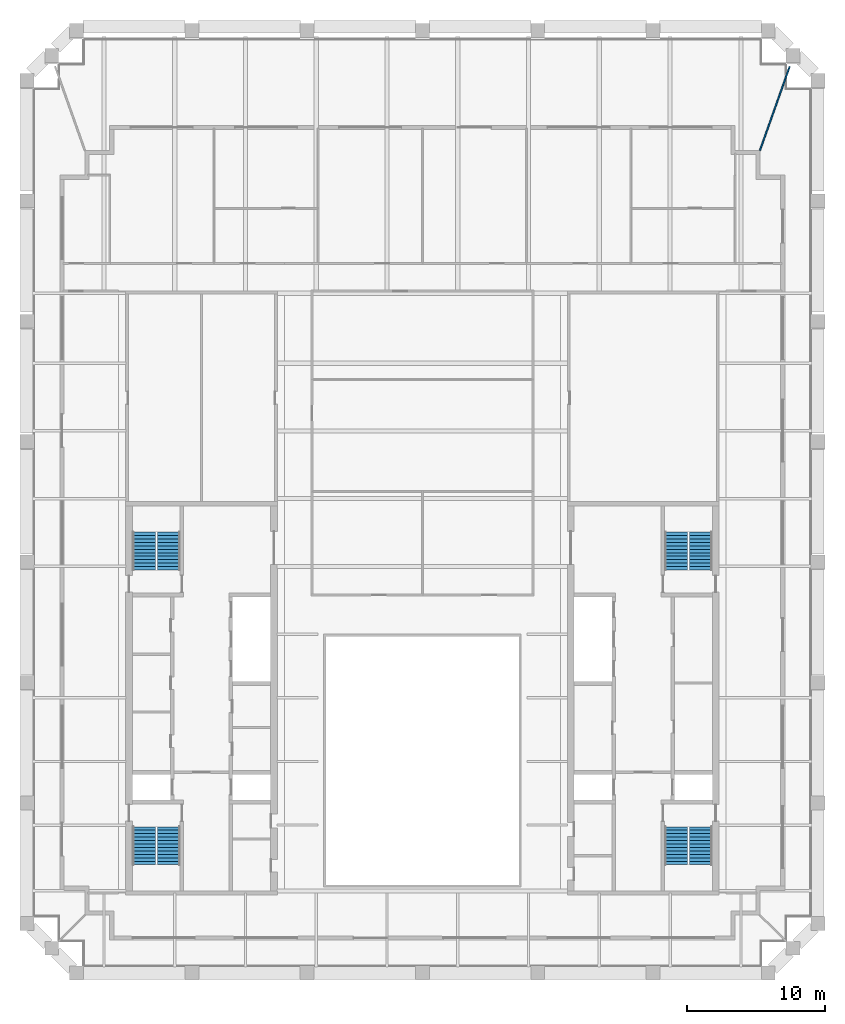
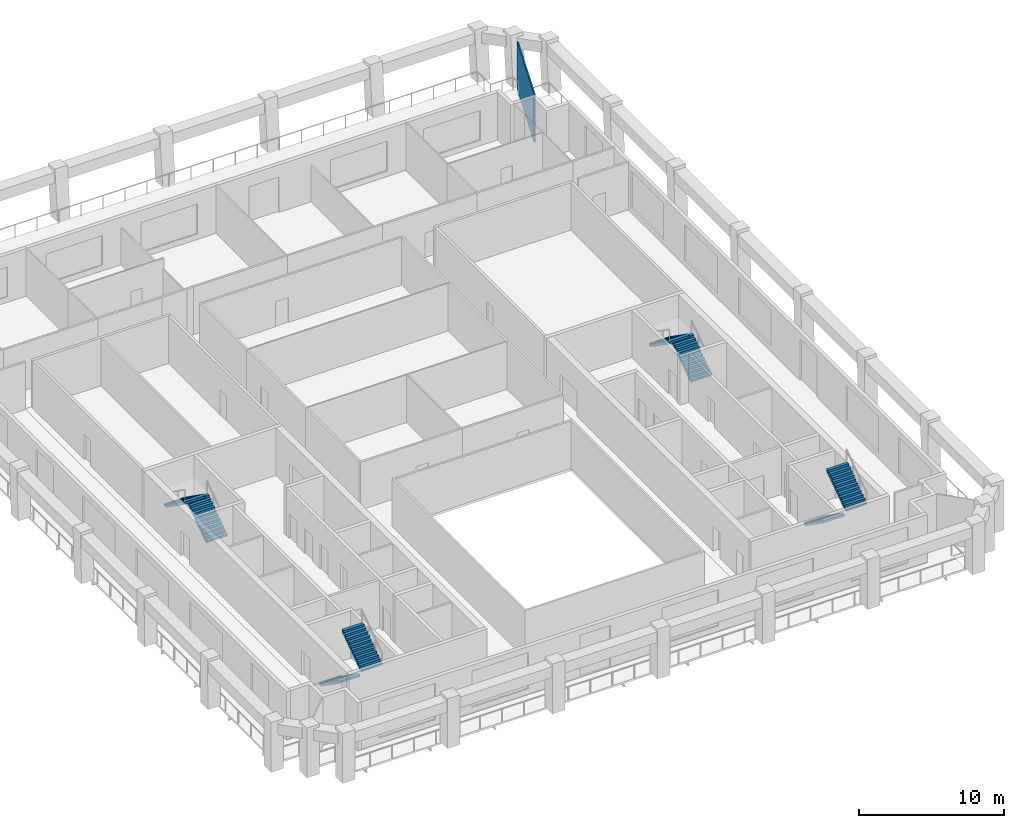
# One storey, part 7 of 8: 8 stair flights, 1 wall, 4 elements without a shape of their own.
"""IFC4 building model written with IfcOpenShell, lengths in metres."""

from ifc_helpers import new_model, si_unit, direction, frame, frame_2d, origin, place, context, subcontext, project, spatial, polyline, rectangle, outline, extrude, material, layer, layer_set, type_object, element, aggregate, save


model = new_model("IFC4")

# Units and contexts
model_context = context("Model", 3, precision=1e-05, world=origin(), true_north=direction((0.0, 1.0)))
body_context = subcontext(model_context, "Body", "Model", "MODEL_VIEW")
ifc_project = project(units=[si_unit("LENGTHUNIT", "METRE"), si_unit("AREAUNIT", "SQUARE_METRE"), si_unit("VOLUMEUNIT", "CUBIC_METRE"), si_unit("PLANEANGLEUNIT", "RADIAN"), si_unit("MASSUNIT", "GRAM", prefix="KILO")], contexts=[model_context])

# Site, building, storey
site_placement = place(None, origin())
site = spatial("IfcSite", under=ifc_project, at=site_placement, CompositionType="ELEMENT")
building_placement = place(site_placement, origin())
building = spatial("IfcBuilding", under=site, at=building_placement, Name="Ogive Exchange Tower", CompositionType="ELEMENT")
storey_placement = place(building_placement, frame((0.0, 0.0, 351.0)))
storey = spatial("IfcBuildingStorey", under=building, at=storey_placement, Name="L77", CompositionType="ELEMENT", Elevation=351.0)

# Wall
ifc_material_1 = material(Name="Laminated safety glass in steel frame", Category="steel")
ifc_layer = layer(ifc_material_1, 0.10009765625)
ifc_layer_set = layer_set([ifc_layer], Name="Loggia end screen 100")
wall_type = type_object("IfcWallType", Name="Loggia end screen 100", PredefinedType="STANDARD", material=ifc_layer_set)
wall_placement = place(storey_placement, frame((24.449951171875, 51.199951171875, -0.050048828125), z_axis=(0.0, 0.0, 1.0), x_axis=(0.334395746366, 0.942432748164, 0.0)))
element("IfcWall", 1, at=wall_placement, inside=storey, type_object=wall_type, Name="Loggia end screen C2", PredefinedType="STANDARD", context=body_context, shape_type="SweptSolid", body=[
    extrude(rectangle(XDim=6.44970703125, YDim=0.10009765625, at=frame_2d((3.224853515625, 0.0))), origin(), (0.0, 0.0, 1.0), 4.050048828125),
])

# Stair, stair flights
ifc_material_2 = material(Name="Concrete C40/50", Category="concrete")
stair_type = type_object("IfcStairType", Name="Exit stair 1650 wide", PredefinedType="HALF_TURN_STAIR", material=ifc_material_2)
stair_1_placement = place(storey_placement, origin())
stair_1 = element("IfcStair", 2, at=stair_1_placement, inside=storey, type_object=stair_type, Name="L77 exit stair ST1", PredefinedType="HALF_TURN_STAIR")
stair_flight_type = type_object("IfcStairFlightType", Name="Stair flight 1650 wide", PredefinedType="STRAIGHT", material=ifc_material_2)
stair_flight_1_placement = place(storey_placement, frame((-20.175048828125, 2.199951171875, 0.0), z_axis=(0.0, 0.0, 1.0), x_axis=(0.0, -1.0, 0.0)))
stair_flight_1 = element("IfcStairFlight", 3, at=stair_flight_1_placement, type_object=stair_flight_type, Name="ST1 flight 1", NumberOfRisers=12, NumberOfTreads=11, PredefinedType="STRAIGHT", RiserHeight=0.175, TreadLength=0.25, context=body_context, shape_type="SweptSolid", body=[
    extrude(outline(polyline([(0.0, 0.0), (0.0, 0.175048828125), (0.25, 0.175048828125), (0.25, 0.35009765625), (0.5, 0.35009765625), (0.5, 0.52490234375), (0.75, 0.52490234375), (0.75, 0.699951171875), (1.0, 0.699951171875), (1.0, 0.875), (1.25, 0.875), (1.25, 1.050048828125), (1.5, 1.050048828125), (1.5, 1.22509765625), (1.75, 1.22509765625), (1.75, 1.39990234375), (2.0, 1.39990234375), (2.0, 1.574951171875), (2.25, 1.574951171875), (2.25, 1.75), (2.5, 1.75), (2.5, 1.925048828125), (2.75, 1.925048828125), (2.75, 2.10009765625), (2.75, 1.741943359375), (0.261474609375, 0.0), (0.0, 0.0)])), frame((0.0, 0.824951171875, 0.0), z_axis=(0.0, -1.0, 0.0), x_axis=(1.0, 0.0, 0.0)), (0.0, 0.0, 1.0), 1.64990234375),
])
stair_flight_2_placement = place(storey_placement, frame((-18.375, -0.550048828125, 2.10009765625), z_axis=(0.0, 0.0, 1.0), x_axis=(0.0, 1.0, 0.0)))
stair_flight_2 = element("IfcStairFlight", 4, at=stair_flight_2_placement, type_object=stair_flight_type, Name="ST1 flight 2", NumberOfRisers=12, NumberOfTreads=11, PredefinedType="STRAIGHT", RiserHeight=0.175, TreadLength=0.25, context=body_context, shape_type="SweptSolid", body=[
    extrude(outline(polyline([(0.0, 0.0), (0.0, 0.175048828125), (0.25, 0.175048828125), (0.25, 0.35009765625), (0.5, 0.35009765625), (0.5, 0.52490234375), (0.75, 0.52490234375), (0.75, 0.699951171875), (1.0, 0.699951171875), (1.0, 0.875), (1.25, 0.875), (1.25, 1.050048828125), (1.5, 1.050048828125), (1.5, 1.22509765625), (1.75, 1.22509765625), (1.75, 1.39990234375), (2.0, 1.39990234375), (2.0, 1.574951171875), (2.25, 1.574951171875), (2.25, 1.75), (2.5, 1.75), (2.5, 1.925048828125), (2.75, 1.925048828125), (2.75, 2.10009765625), (2.75, 1.741943359375), (0.261474609375, 0.0), (0.0, 0.0)])), frame((0.0, 0.824951171875, 0.0), z_axis=(0.0, -1.0, 0.0), x_axis=(1.0, 0.0, 0.0)), (0.0, 0.0, 1.0), 1.64990234375),
])
aggregate(stair_1, [stair_flight_1, stair_flight_2])

stair_2_placement = place(storey_placement, origin())
stair_2 = element("IfcStair", 5, at=stair_2_placement, inside=storey, type_object=stair_type, Name="L77 exit stair ST2", PredefinedType="HALF_TURN_STAIR")
stair_flight_3_placement = place(storey_placement, frame((-18.375, 20.800048828125, 0.0), z_axis=(0.0, 0.0, 1.0), x_axis=(0.0, 1.0, 0.0)))
stair_flight_3 = element("IfcStairFlight", 6, at=stair_flight_3_placement, type_object=stair_flight_type, Name="ST2 flight 1", NumberOfRisers=12, NumberOfTreads=11, PredefinedType="STRAIGHT", RiserHeight=0.175, TreadLength=0.25, context=body_context, shape_type="SweptSolid", body=[
    extrude(outline(polyline([(0.0, 0.0), (0.0, 0.175048828125), (0.25, 0.175048828125), (0.25, 0.35009765625), (0.5, 0.35009765625), (0.5, 0.52490234375), (0.75, 0.52490234375), (0.75, 0.699951171875), (1.0, 0.699951171875), (1.0, 0.875), (1.25, 0.875), (1.25, 1.050048828125), (1.5, 1.050048828125), (1.5, 1.22509765625), (1.75, 1.22509765625), (1.75, 1.39990234375), (2.0, 1.39990234375), (2.0, 1.574951171875), (2.25, 1.574951171875), (2.25, 1.75), (2.5, 1.75), (2.5, 1.925048828125), (2.75, 1.925048828125), (2.75, 2.10009765625), (2.75, 1.741943359375), (0.261474609375, 0.0), (0.0, 0.0)])), frame((0.0, 0.824951171875, 0.0), z_axis=(0.0, -1.0, 0.0), x_axis=(1.0, 0.0, 0.0)), (0.0, 0.0, 1.0), 1.64990234375),
])
stair_flight_4_placement = place(storey_placement, frame((-20.175048828125, 23.550048828125, 2.10009765625), z_axis=(0.0, 0.0, 1.0), x_axis=(0.0, -1.0, 0.0)))
stair_flight_4 = element("IfcStairFlight", 7, at=stair_flight_4_placement, type_object=stair_flight_type, Name="ST2 flight 2", NumberOfRisers=12, NumberOfTreads=11, PredefinedType="STRAIGHT", RiserHeight=0.175, TreadLength=0.25, context=body_context, shape_type="SweptSolid", body=[
    extrude(outline(polyline([(0.0, 0.0), (0.0, 0.175048828125), (0.25, 0.175048828125), (0.25, 0.35009765625), (0.5, 0.35009765625), (0.5, 0.52490234375), (0.75, 0.52490234375), (0.75, 0.699951171875), (1.0, 0.699951171875), (1.0, 0.875), (1.25, 0.875), (1.25, 1.050048828125), (1.5, 1.050048828125), (1.5, 1.22509765625), (1.75, 1.22509765625), (1.75, 1.39990234375), (2.0, 1.39990234375), (2.0, 1.574951171875), (2.25, 1.574951171875), (2.25, 1.75), (2.5, 1.75), (2.5, 1.925048828125), (2.75, 1.925048828125), (2.75, 2.10009765625), (2.75, 1.741943359375), (0.261474609375, 0.0), (0.0, 0.0)])), frame((0.0, 0.824951171875, 0.0), z_axis=(0.0, -1.0, 0.0), x_axis=(1.0, 0.0, 0.0)), (0.0, 0.0, 1.0), 1.64990234375),
])
aggregate(stair_2, [stair_flight_3, stair_flight_4])

stair_3_placement = place(storey_placement, origin())
stair_3 = element("IfcStair", 8, at=stair_3_placement, inside=storey, type_object=stair_type, Name="L77 exit stair ST3", PredefinedType="HALF_TURN_STAIR")
stair_flight_5_placement = place(storey_placement, frame((18.375, 2.199951171875, 0.0), z_axis=(0.0, 0.0, 1.0), x_axis=(0.0, -1.0, 0.0)))
stair_flight_5 = element("IfcStairFlight", 9, at=stair_flight_5_placement, type_object=stair_flight_type, Name="ST3 flight 1", NumberOfRisers=12, NumberOfTreads=11, PredefinedType="STRAIGHT", RiserHeight=0.175, TreadLength=0.25, context=body_context, shape_type="SweptSolid", body=[
    extrude(outline(polyline([(0.0, 0.0), (0.0, 0.175048828125), (0.25, 0.175048828125), (0.25, 0.35009765625), (0.5, 0.35009765625), (0.5, 0.52490234375), (0.75, 0.52490234375), (0.75, 0.699951171875), (1.0, 0.699951171875), (1.0, 0.875), (1.25, 0.875), (1.25, 1.050048828125), (1.5, 1.050048828125), (1.5, 1.22509765625), (1.75, 1.22509765625), (1.75, 1.39990234375), (2.0, 1.39990234375), (2.0, 1.574951171875), (2.25, 1.574951171875), (2.25, 1.75), (2.5, 1.75), (2.5, 1.925048828125), (2.75, 1.925048828125), (2.75, 2.10009765625), (2.75, 1.741943359375), (0.261474609375, 0.0), (0.0, 0.0)])), frame((0.0, 0.824951171875, 0.0), z_axis=(0.0, -1.0, 0.0), x_axis=(1.0, 0.0, 0.0)), (0.0, 0.0, 1.0), 1.64990234375),
])
stair_flight_6_placement = place(storey_placement, frame((20.175048828125, -0.550048828125, 2.10009765625), z_axis=(0.0, 0.0, 1.0), x_axis=(0.0, 1.0, 0.0)))
stair_flight_6 = element("IfcStairFlight", 10, at=stair_flight_6_placement, type_object=stair_flight_type, Name="ST3 flight 2", NumberOfRisers=12, NumberOfTreads=11, PredefinedType="STRAIGHT", RiserHeight=0.175, TreadLength=0.25, context=body_context, shape_type="SweptSolid", body=[
    extrude(outline(polyline([(0.0, 0.0), (0.0, 0.175048828125), (0.25, 0.175048828125), (0.25, 0.35009765625), (0.5, 0.35009765625), (0.5, 0.52490234375), (0.75, 0.52490234375), (0.75, 0.699951171875), (1.0, 0.699951171875), (1.0, 0.875), (1.25, 0.875), (1.25, 1.050048828125), (1.5, 1.050048828125), (1.5, 1.22509765625), (1.75, 1.22509765625), (1.75, 1.39990234375), (2.0, 1.39990234375), (2.0, 1.574951171875), (2.25, 1.574951171875), (2.25, 1.75), (2.5, 1.75), (2.5, 1.925048828125), (2.75, 1.925048828125), (2.75, 2.10009765625), (2.75, 1.741943359375), (0.261474609375, 0.0), (0.0, 0.0)])), frame((0.0, 0.824951171875, 0.0), z_axis=(0.0, -1.0, 0.0), x_axis=(1.0, 0.0, 0.0)), (0.0, 0.0, 1.0), 1.64990234375),
])
aggregate(stair_3, [stair_flight_5, stair_flight_6])

stair_4_placement = place(storey_placement, origin())
stair_4 = element("IfcStair", 11, at=stair_4_placement, inside=storey, type_object=stair_type, Name="L77 exit stair ST4", PredefinedType="HALF_TURN_STAIR")
stair_flight_7_placement = place(storey_placement, frame((20.175048828125, 20.800048828125, 0.0), z_axis=(0.0, 0.0, 1.0), x_axis=(0.0, 1.0, 0.0)))
stair_flight_7 = element("IfcStairFlight", 12, at=stair_flight_7_placement, type_object=stair_flight_type, Name="ST4 flight 1", NumberOfRisers=12, NumberOfTreads=11, PredefinedType="STRAIGHT", RiserHeight=0.175, TreadLength=0.25, context=body_context, shape_type="SweptSolid", body=[
    extrude(outline(polyline([(0.0, 0.0), (0.0, 0.175048828125), (0.25, 0.175048828125), (0.25, 0.35009765625), (0.5, 0.35009765625), (0.5, 0.52490234375), (0.75, 0.52490234375), (0.75, 0.699951171875), (1.0, 0.699951171875), (1.0, 0.875), (1.25, 0.875), (1.25, 1.050048828125), (1.5, 1.050048828125), (1.5, 1.22509765625), (1.75, 1.22509765625), (1.75, 1.39990234375), (2.0, 1.39990234375), (2.0, 1.574951171875), (2.25, 1.574951171875), (2.25, 1.75), (2.5, 1.75), (2.5, 1.925048828125), (2.75, 1.925048828125), (2.75, 2.10009765625), (2.75, 1.741943359375), (0.261474609375, 0.0), (0.0, 0.0)])), frame((0.0, 0.824951171875, 0.0), z_axis=(0.0, -1.0, 0.0), x_axis=(1.0, 0.0, 0.0)), (0.0, 0.0, 1.0), 1.64990234375),
])
stair_flight_8_placement = place(storey_placement, frame((18.375, 23.550048828125, 2.10009765625), z_axis=(0.0, 0.0, 1.0), x_axis=(0.0, -1.0, 0.0)))
stair_flight_8 = element("IfcStairFlight", 13, at=stair_flight_8_placement, type_object=stair_flight_type, Name="ST4 flight 2", NumberOfRisers=12, NumberOfTreads=11, PredefinedType="STRAIGHT", RiserHeight=0.175, TreadLength=0.25, context=body_context, shape_type="SweptSolid", body=[
    extrude(outline(polyline([(0.0, 0.0), (0.0, 0.175048828125), (0.25, 0.175048828125), (0.25, 0.35009765625), (0.5, 0.35009765625), (0.5, 0.52490234375), (0.75, 0.52490234375), (0.75, 0.699951171875), (1.0, 0.699951171875), (1.0, 0.875), (1.25, 0.875), (1.25, 1.050048828125), (1.5, 1.050048828125), (1.5, 1.22509765625), (1.75, 1.22509765625), (1.75, 1.39990234375), (2.0, 1.39990234375), (2.0, 1.574951171875), (2.25, 1.574951171875), (2.25, 1.75), (2.5, 1.75), (2.5, 1.925048828125), (2.75, 1.925048828125), (2.75, 2.10009765625), (2.75, 1.741943359375), (0.261474609375, 0.0), (0.0, 0.0)])), frame((0.0, 0.824951171875, 0.0), z_axis=(0.0, -1.0, 0.0), x_axis=(1.0, 0.0, 0.0)), (0.0, 0.0, 1.0), 1.64990234375),
])
aggregate(stair_4, [stair_flight_7, stair_flight_8])

save(model, "model.ifc")
